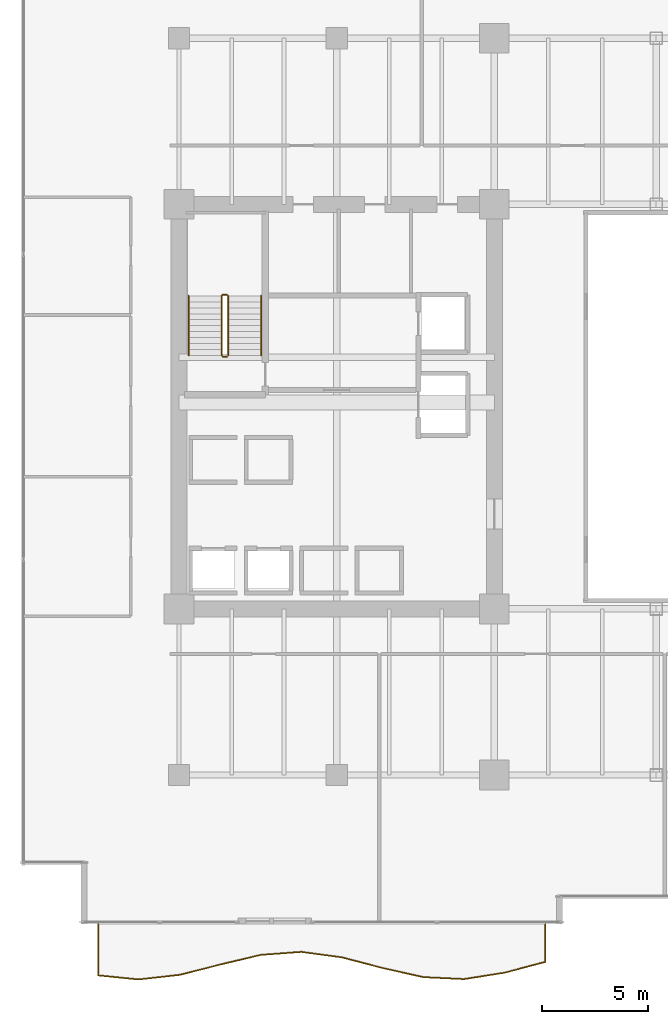
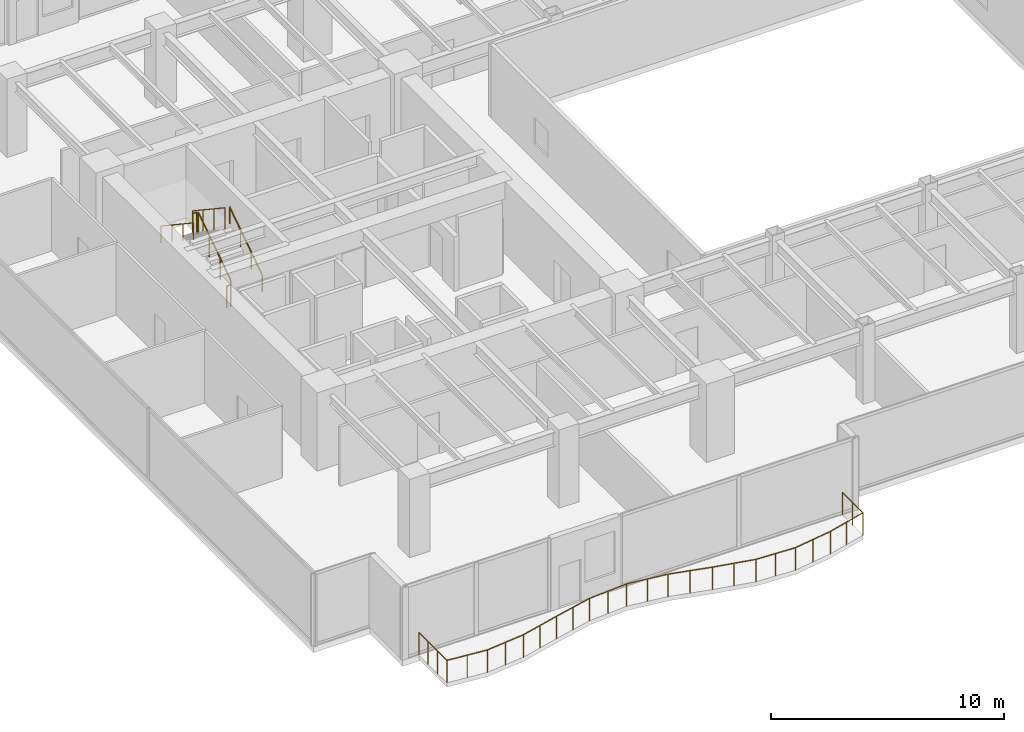
# One storey, part 29 of 31: 7 railings.
"""IFC4 building model written with IfcOpenShell, lengths in metres."""

from ifc_helpers import new_model, si_unit, direction, frame, origin, origin_2d, place, context, subcontext, project, spatial, circle, extrude, source, transform, mapped, material, type_object, type_shapes, element, save


model = new_model("IFC4")

# Units and contexts
model_context = context("Model", 3, precision=1e-05, world=origin(), true_north=direction((0.0, 1.0)))
body_context = subcontext(model_context, "Body", "Model", "MODEL_VIEW")
ifc_project = project(units=[si_unit("LENGTHUNIT", "METRE"), si_unit("AREAUNIT", "SQUARE_METRE"), si_unit("VOLUMEUNIT", "CUBIC_METRE"), si_unit("PLANEANGLEUNIT", "RADIAN"), si_unit("MASSUNIT", "GRAM", prefix="KILO")], contexts=[model_context])

# Site, building, storey
site_placement = place(None, origin())
site = spatial("IfcSite", under=ifc_project, at=site_placement, CompositionType="ELEMENT")
building_placement = place(site_placement, origin())
building = spatial("IfcBuilding", under=site, at=building_placement, Name="Haelvirn Gate Laboratories", CompositionType="ELEMENT")
storey_placement = place(building_placement, frame((0.0, 0.0, 62.10009765625)))
storey = spatial("IfcBuildingStorey", under=building, at=storey_placement, Name="L15", CompositionType="ELEMENT", Elevation=62.10009765625)

# Railings
ifc_material_1 = material(Name="Laminated safety glass & bronze stainless steel 316L", Category="steel")
railing_type_1 = type_object("IfcRailingType", Name="RLG-BAL-1200", PredefinedType="BALUSTRADE", material=ifc_material_1)
shared_shape_1 = source(origin(), body_context, "Body", "SweptSolid", [
    extrude(circle(Radius=0.02392578125, at=origin_2d()), frame((0.0, 0.0, 1.17578125), z_axis=(0.0, -1.0, 0.0), x_axis=(1.0, 0.0, 0.0)), (0.0, 0.0, 1.0), 2.40966796875),
    extrude(circle(Radius=0.02392578125, at=origin_2d()), frame((0.0, -2.40966796875, 1.17578125), z_axis=(0.995073664133, -0.099138302131, 0.0), x_axis=(0.099138302131, 0.995073664133, 0.0)), (0.0, 0.0, 1.0), 1.91845703125),
    extrude(circle(Radius=0.02392578125, at=origin_2d()), frame((1.908935546875, -2.599853515625, 1.17578125), z_axis=(0.993784147545, 0.111324157705, 0.0), x_axis=(-0.111324157705, 0.993784147545, 0.0)), (0.0, 0.0, 1.0), 1.921142578125),
    extrude(circle(Radius=0.02392578125, at=origin_2d()), frame((3.818115234375, -2.385986328125, 1.17578125), z_axis=(0.969231707961, 0.246150149874, 0.0), x_axis=(-0.246150149874, 0.969231707961, 0.0)), (0.0, 0.0, 1.0), 1.9697265625),
    extrude(circle(Radius=0.02392578125, at=origin_2d()), frame((5.727294921875, -1.901123046875, 1.17578125), z_axis=(0.972796869458, 0.231659773747, 0.0), x_axis=(-0.231659773747, 0.972796869458, 0.0)), (0.0, 0.0, 1.0), 1.96240234375),
    extrude(circle(Radius=0.02392578125, at=origin_2d()), frame((7.63623046875, -1.446533203125, 1.17578125), z_axis=(0.99727018965, 0.073838803044, 0.0), x_axis=(-0.073838803044, 0.99727018965, 0.0)), (0.0, 0.0, 1.0), 1.914306640625),
    extrude(circle(Radius=0.02392578125, at=origin_2d()), frame((9.54541015625, -1.30517578125, 1.17578125), z_axis=(0.99090174786, -0.134587243411, 0.0), x_axis=(0.134587243411, 0.99090174786, 0.0)), (0.0, 0.0, 1.0), 1.926513671875),
    extrude(circle(Radius=0.02392578125, at=origin_2d()), frame((11.454345703125, -1.564453125, 1.17578125), z_axis=(0.967496287377, -0.252885218849, 0.0), x_axis=(0.252885218849, 0.967496287377, 0.0)), (0.0, 0.0, 1.0), 1.973388671875),
    extrude(circle(Radius=0.02392578125, at=origin_2d()), frame((13.363525390625, -2.0634765625, 1.17578125), z_axis=(0.975729855584, -0.218977736132, 0.0), x_axis=(0.218977736132, 0.975729855584, 0.0)), (0.0, 0.0, 1.0), 1.956787109375),
    extrude(circle(Radius=0.02392578125, at=origin_2d()), frame((15.272705078125, -2.491943359375, 1.17578125), z_axis=(0.998851894788, -0.047905033962, 0.0), x_axis=(0.047905033962, 0.998851894788, 0.0)), (0.0, 0.0, 1.0), 1.9111328125),
    extrude(circle(Radius=0.02392578125, at=origin_2d()), frame((17.181640625, -2.58349609375, 1.17578125), z_axis=(0.987679876081, 0.156487898525, 0.0), x_axis=(-0.156487898525, 0.987679876081, 0.0)), (0.0, 0.0, 1.0), 1.93310546875),
    extrude(circle(Radius=0.02392578125, at=origin_2d()), frame((19.0908203125, -2.281005859375, 1.17578125), z_axis=(0.966368129293, 0.257162669701, 0.0), x_axis=(-0.257162669701, 0.966368129293, 0.0)), (0.0, 0.0, 1.0), 1.9755859375),
    extrude(circle(Radius=0.02392578125, at=origin_2d()), frame((21.0, -1.77294921875, 1.17578125), z_axis=(0.0, 1.0, 0.0), x_axis=(-1.0, 0.0, 0.0)), (0.0, 0.0, 1.0), 1.77294921875),
    extrude(circle(Radius=0.02099609375, at=origin_2d()), origin(), (0.0, 0.0, 1.0), 1.15185546875),
    extrude(circle(Radius=0.02099609375, at=origin_2d()), frame((0.0, -0.80322265625, 0.0)), (0.0, 0.0, 1.0), 1.15185546875),
    extrude(circle(Radius=0.02099609375, at=origin_2d()), frame((0.0, -1.6064453125, 0.0)), (0.0, 0.0, 1.0), 1.15185546875),
    extrude(circle(Radius=0.02099609375, at=origin_2d()), frame((0.0, -2.40966796875, 0.0)), (0.0, 0.0, 1.0), 1.15185546875),
    extrude(circle(Radius=0.02099609375, at=origin_2d()), frame((0.95458984375, -2.5048828125, 0.0)), (0.0, 0.0, 1.0), 1.15185546875),
    extrude(circle(Radius=0.02099609375, at=origin_2d()), frame((1.908935546875, -2.599853515625, 0.0)), (0.0, 0.0, 1.0), 1.15185546875),
    extrude(circle(Radius=0.02099609375, at=origin_2d()), frame((2.863525390625, -2.492919921875, 0.0)), (0.0, 0.0, 1.0), 1.15185546875),
    extrude(circle(Radius=0.02099609375, at=origin_2d()), frame((3.818115234375, -2.385986328125, 0.0)), (0.0, 0.0, 1.0), 1.15185546875),
    extrude(circle(Radius=0.02099609375, at=origin_2d()), frame((4.772705078125, -2.1435546875, 0.0)), (0.0, 0.0, 1.0), 1.15185546875),
    extrude(circle(Radius=0.02099609375, at=origin_2d()), frame((5.727294921875, -1.901123046875, 0.0)), (0.0, 0.0, 1.0), 1.15185546875),
    extrude(circle(Radius=0.02099609375, at=origin_2d()), frame((6.681640625, -1.673828125, 0.0)), (0.0, 0.0, 1.0), 1.15185546875),
    extrude(circle(Radius=0.02099609375, at=origin_2d()), frame((7.63623046875, -1.446533203125, 0.0)), (0.0, 0.0, 1.0), 1.15185546875),
    extrude(circle(Radius=0.02099609375, at=origin_2d()), frame((8.5908203125, -1.3759765625, 0.0)), (0.0, 0.0, 1.0), 1.15185546875),
    extrude(circle(Radius=0.02099609375, at=origin_2d()), frame((9.54541015625, -1.30517578125, 0.0)), (0.0, 0.0, 1.0), 1.15185546875),
    extrude(circle(Radius=0.02099609375, at=origin_2d()), frame((10.5, -1.434814453125, 0.0)), (0.0, 0.0, 1.0), 1.15185546875),
    extrude(circle(Radius=0.02099609375, at=origin_2d()), frame((11.454345703125, -1.564453125, 0.0)), (0.0, 0.0, 1.0), 1.15185546875),
    extrude(circle(Radius=0.02099609375, at=origin_2d()), frame((12.408935546875, -1.81396484375, 0.0)), (0.0, 0.0, 1.0), 1.15185546875),
    extrude(circle(Radius=0.02099609375, at=origin_2d()), frame((13.363525390625, -2.0634765625, 0.0)), (0.0, 0.0, 1.0), 1.15185546875),
    extrude(circle(Radius=0.02099609375, at=origin_2d()), frame((14.318115234375, -2.27783203125, 0.0)), (0.0, 0.0, 1.0), 1.15185546875),
    extrude(circle(Radius=0.02099609375, at=origin_2d()), frame((15.272705078125, -2.491943359375, 0.0)), (0.0, 0.0, 1.0), 1.15185546875),
    extrude(circle(Radius=0.02099609375, at=origin_2d()), frame((16.22705078125, -2.53759765625, 0.0)), (0.0, 0.0, 1.0), 1.15185546875),
    extrude(circle(Radius=0.02099609375, at=origin_2d()), frame((17.181640625, -2.58349609375, 0.0)), (0.0, 0.0, 1.0), 1.15185546875),
    extrude(circle(Radius=0.02099609375, at=origin_2d()), frame((18.13623046875, -2.43212890625, 0.0)), (0.0, 0.0, 1.0), 1.15185546875),
    extrude(circle(Radius=0.02099609375, at=origin_2d()), frame((19.0908203125, -2.281005859375, 0.0)), (0.0, 0.0, 1.0), 1.15185546875),
    extrude(circle(Radius=0.02099609375, at=origin_2d()), frame((20.04541015625, -2.02685546875, 0.0)), (0.0, 0.0, 1.0), 1.15185546875),
    extrude(circle(Radius=0.02099609375, at=origin_2d()), frame((21.0, -1.77294921875, 0.0)), (0.0, 0.0, 1.0), 1.15185546875),
    extrude(circle(Radius=0.02099609375, at=origin_2d()), frame((21.0, -0.886474609375, 0.0)), (0.0, 0.0, 1.0), 1.15185546875),
    extrude(circle(Radius=0.02099609375, at=origin_2d()), frame((21.0, 0.0, 0.0)), (0.0, 0.0, 1.0), 1.15185546875),
])
type_shapes(railing_type_1, [shared_shape_1])
railing_1_placement = place(storey_placement, frame((3.60009765625, 0.0, 0.0)))
element("IfcRailing", 1, at=railing_1_placement, inside=storey, type_object=railing_type_1, Name="L15 Wave Balcony Balustrade WL-S", PredefinedType="BALUSTRADE", context=body_context, shape_type="MappedRepresentation", body=[
    mapped(shared_shape_1, transform((0.0, 0.0, 0.0), scale=1.0)),
])
ifc_material_2 = material(Name="Galvanised steel SM355 & stainless top rail", Category="steel")
railing_type_2 = type_object("IfcRailingType", Name="RL-GUARD-1150", PredefinedType="GUARDRAIL", material=ifc_material_2)
shared_shape_2 = source(origin(), body_context, "Body", "SweptSolid", [
    extrude(circle(Radius=0.02392578125, at=origin_2d()), frame((0.0, 0.0, 1.1259765625), z_axis=(-1.0, 0.0, 0.0), x_axis=(0.0, -1.0, 0.0)), (0.0, 0.0, 1.0), 0.199951171875),
    extrude(circle(Radius=0.02099609375, at=origin_2d()), origin(), (0.0, 0.0, 1.0), 1.101806640625),
    extrude(circle(Radius=0.02099609375, at=origin_2d()), frame((-0.199951171875, 0.0, 0.0)), (0.0, 0.0, 1.0), 1.101806640625),
])
for number, where, name in (
    (2, (9.64990234375, 29.550048828125, 2.0498046875), "L15 ST1 stair guard 2"),
    (3, (9.64990234375, 26.64990234375, 0.0), "L15 ST1 stair guard 4"),
):
    element("IfcRailing", number, at=place(storey_placement, frame(where)), inside=storey, type_object=railing_type_2, Name=name, PredefinedType="GUARDRAIL", context=body_context, shape_type="MappedRepresentation", body=[
        mapped(shared_shape_2, transform((0.0, 0.0, 0.0), scale=1.0)),
    ])
shared_shape_3 = source(origin(), body_context, "Body", "SweptSolid", [
    extrude(circle(Radius=0.02392578125, at=origin_2d()), frame((0.0, 0.0, 1.1259765625), z_axis=(0.0, 0.832485552168, 0.554046753832), x_axis=(-1.0, 0.0, 0.0)), (0.0, 0.0, 1.0), 3.363525390625),
    extrude(circle(Radius=0.02099609375, at=origin_2d()), origin(), (0.0, 0.0, 1.0), 1.101806640625),
    extrude(circle(Radius=0.02099609375, at=origin_2d()), frame((0.0, 0.933349609375, 0.62109375)), (0.0, 0.0, 1.0), 1.101806640625),
    extrude(circle(Radius=0.02099609375, at=origin_2d()), frame((0.0, 1.86669921875, 1.242431640625)), (0.0, 0.0, 1.0), 1.101806640625),
    extrude(circle(Radius=0.02099609375, at=origin_2d()), frame((0.0, 2.800048828125, 1.863525390625)), (0.0, 0.0, 1.0), 1.101806640625),
])
railing_2_placement = place(storey_placement, frame((9.699951171875, 26.699951171875, 0.186279296875)))
element("IfcRailing", 4, at=railing_2_placement, inside=storey, type_object=railing_type_2, Name="L15 ST1 stair guard 1", PredefinedType="GUARDRAIL", context=body_context, shape_type="MappedRepresentation", body=[
    mapped(shared_shape_3, transform((0.0, 0.0, 0.0), scale=1.0)),
])
ifc_material_3 = material(Name="Brushed stainless steel 316L", Category="steel")
railing_type_3 = type_object("IfcRailingType", Name="RL-HAND-920", PredefinedType="HANDRAIL", material=ifc_material_3)
shared_shape_4 = source(origin(), body_context, "Body", "SweptSolid", [
    extrude(circle(Radius=0.02392578125, at=origin_2d()), frame((0.0, 0.0, 0.8759765625), z_axis=(0.0, 0.832485552168, 0.554046753832), x_axis=(-1.0, 0.0, 0.0)), (0.0, 0.0, 1.0), 3.363525390625),
    extrude(circle(Radius=0.02099609375, at=origin_2d()), origin(), (0.0, 0.0, 1.0), 0.851806640625),
    extrude(circle(Radius=0.02099609375, at=origin_2d()), frame((0.0, 0.933349609375, 0.62109375)), (0.0, 0.0, 1.0), 0.851806640625),
    extrude(circle(Radius=0.02099609375, at=origin_2d()), frame((0.0, 1.86669921875, 1.242431640625)), (0.0, 0.0, 1.0), 0.851806640625),
    extrude(circle(Radius=0.02099609375, at=origin_2d()), frame((0.0, 2.800048828125, 1.863525390625)), (0.0, 0.0, 1.0), 0.851806640625),
])
railing_3_placement = place(storey_placement, frame((11.25, 26.699951171875, 0.186279296875)))
element("IfcRailing", 5, at=railing_3_placement, inside=storey, type_object=railing_type_3, Name="L15 ST1 stair handrail 1", PredefinedType="HANDRAIL", context=body_context, shape_type="MappedRepresentation", body=[
    mapped(shared_shape_4, transform((0.0, 0.0, 0.0), scale=1.0)),
])
shared_shape_5 = source(origin(), body_context, "Body", "SweptSolid", [
    extrude(circle(Radius=0.02392578125, at=origin_2d()), frame((0.0, 0.0, 1.1259765625), z_axis=(0.0, -0.832485552168, 0.554046753832), x_axis=(1.0, 0.0, 0.0)), (0.0, 0.0, 1.0), 3.363525390625),
    extrude(circle(Radius=0.02099609375, at=origin_2d()), origin(), (0.0, 0.0, 1.0), 1.101806640625),
    extrude(circle(Radius=0.02099609375, at=origin_2d()), frame((0.0, -0.933349609375, 0.62109375)), (0.0, 0.0, 1.0), 1.101806640625),
    extrude(circle(Radius=0.02099609375, at=origin_2d()), frame((0.0, -1.86669921875, 1.242431640625)), (0.0, 0.0, 1.0), 1.101806640625),
    extrude(circle(Radius=0.02099609375, at=origin_2d()), frame((0.0, -2.800048828125, 1.863525390625)), (0.0, 0.0, 1.0), 1.101806640625),
])
type_shapes(railing_type_2, [shared_shape_2, shared_shape_3, shared_shape_5])
railing_4_placement = place(storey_placement, frame((9.39990234375, 29.5, 2.236328125)))
element("IfcRailing", 6, at=railing_4_placement, inside=storey, type_object=railing_type_2, Name="L15 ST1 stair guard 3", PredefinedType="GUARDRAIL", context=body_context, shape_type="MappedRepresentation", body=[
    mapped(shared_shape_5, transform((0.0, 0.0, 0.0), scale=1.0)),
])
shared_shape_6 = source(origin(), body_context, "Body", "SweptSolid", [
    extrude(circle(Radius=0.02392578125, at=origin_2d()), frame((0.0, 0.0, 0.8759765625), z_axis=(0.0, -0.832485552168, 0.554046753832), x_axis=(1.0, 0.0, 0.0)), (0.0, 0.0, 1.0), 3.363525390625),
    extrude(circle(Radius=0.02099609375, at=origin_2d()), origin(), (0.0, 0.0, 1.0), 0.851806640625),
    extrude(circle(Radius=0.02099609375, at=origin_2d()), frame((0.0, -0.933349609375, 0.62109375)), (0.0, 0.0, 1.0), 0.851806640625),
    extrude(circle(Radius=0.02099609375, at=origin_2d()), frame((0.0, -1.86669921875, 1.242431640625)), (0.0, 0.0, 1.0), 0.851806640625),
    extrude(circle(Radius=0.02099609375, at=origin_2d()), frame((0.0, -2.800048828125, 1.863525390625)), (0.0, 0.0, 1.0), 0.851806640625),
])
type_shapes(railing_type_3, [shared_shape_4, shared_shape_6])
railing_5_placement = place(storey_placement, frame((7.85009765625, 29.5, 2.236328125)))
element("IfcRailing", 7, at=railing_5_placement, inside=storey, type_object=railing_type_3, Name="L15 ST1 stair handrail 2", PredefinedType="HANDRAIL", context=body_context, shape_type="MappedRepresentation", body=[
    mapped(shared_shape_6, transform((0.0, 0.0, 0.0), scale=1.0)),
])

save(model, "model.ifc")
